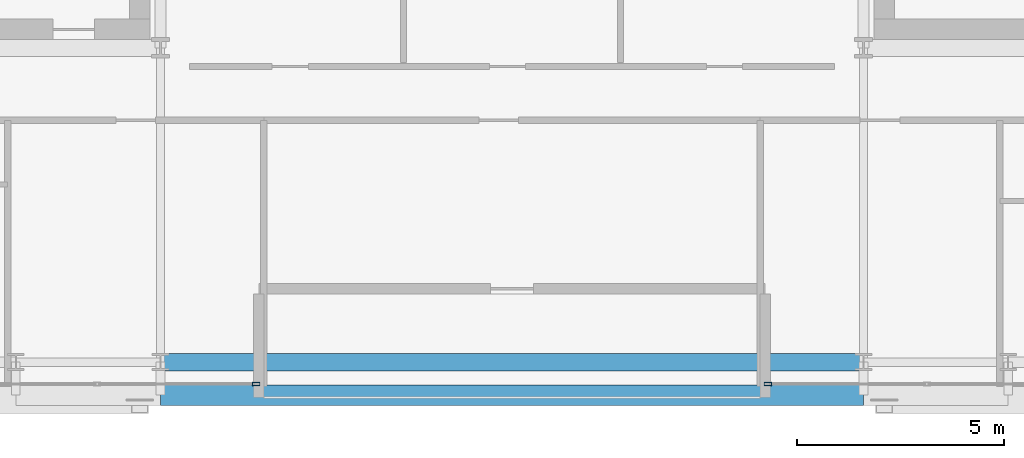
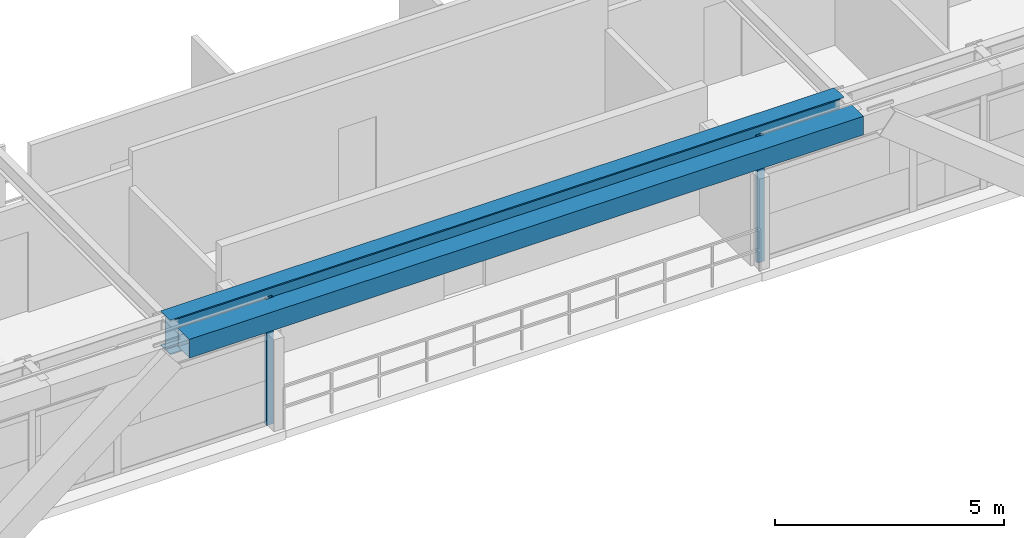
# One storey, part 6 of 32: 2 beams, 2 members, 2 elements without a shape of their own.
"""IFC4 building model written with IfcOpenShell, lengths in metres."""

from ifc_helpers import new_model, si_unit, direction, frame, origin, origin_2d, place, context, subcontext, project, spatial, hollow_rectangle, i_section, extrude, source, transform, mapped, material, layer, layer_set, material_profile, profile_set, type_object, element, aggregate, save


model = new_model("IFC4")

# Units and contexts
model_context = context("Model", 3, precision=1e-05, world=origin(), true_north=direction((0.0, 1.0)))
body_context = subcontext(model_context, "Body", "Model", "MODEL_VIEW")
ifc_project = project(units=[si_unit("LENGTHUNIT", "METRE"), si_unit("AREAUNIT", "SQUARE_METRE"), si_unit("VOLUMEUNIT", "CUBIC_METRE"), si_unit("PLANEANGLEUNIT", "RADIAN"), si_unit("MASSUNIT", "GRAM", prefix="KILO")], contexts=[model_context])

# Site, building, storey
site_placement = place(None, origin())
site = spatial("IfcSite", under=ifc_project, at=site_placement, CompositionType="ELEMENT")
building_placement = place(site_placement, origin())
building = spatial("IfcBuilding", under=site, at=building_placement, Name="Ocotamira Hotel", CompositionType="ELEMENT")
storey_placement = place(building_placement, frame((0.0, 0.0, 184.800048828125)))
storey = spatial("IfcBuildingStorey", under=building, at=storey_placement, Name="L46", CompositionType="ELEMENT", Elevation=184.800048828125)

# Beams
ifc_material_1 = material(Name="Steel ASTM A992 Grade 50", Category="steel")
ifc_material_profile_1 = material_profile(ifc_material_1, i_section(OverallWidth=0.41796875, OverallDepth=0.927001953125, WebThickness=0.019287109375, FlangeThickness=0.031982421875, FilletRadius=0.02392578125, at=origin_2d()), Name="W36X231")
ifc_profile_set_1 = profile_set([ifc_material_profile_1], Name="Steel ASTM A992 Grade 50")
beam_type_1 = type_object("IfcBeamType", Name="BM-GIRD-W36X231", PredefinedType="BEAM", material=ifc_profile_set_1)
shared_shape_1 = source(origin(), body_context, "Body", "SweptSolid", [
    extrude(i_section(OverallWidth=0.41796875, OverallDepth=0.927001953125, WebThickness=0.019287109375, FlangeThickness=0.031982421875, FilletRadius=0.02392578125, at=origin_2d()), origin(), (0.0, 0.0, 1.0), 17.0),
])
beam_1_placement = place(storey_placement, frame((23.5, 6.949951171875, 2.906494140625), z_axis=(1.0, 0.0, 0.0), x_axis=(0.0, 1.0, 0.0)))
element("IfcBeam", 1, at=beam_1_placement, inside=storey, type_object=beam_type_1, Name="L46 Girder Y6.95 X23.5-40.5", PredefinedType="BEAM", context=body_context, shape_type="MappedRepresentation", body=[
    mapped(shared_shape_1, transform((0.0, 0.0, 0.0), scale=1.0)),
])
ifc_material_2 = material(Name="Steel ASTM A500 Grade C", Category="steel")
ifc_material_profile_2 = material_profile(ifc_material_2, hollow_rectangle(XDim=0.5, YDim=0.5, WallThickness=0.02001953125, at=origin_2d()), Name="HSS500X500X20")
ifc_profile_set_2 = profile_set([ifc_material_profile_2], Name="Steel ASTM A500 Grade C")
beam_type_2 = type_object("IfcBeamType", Name="BM-SPAN-HSS500", PredefinedType="USERDEFINED", material=ifc_profile_set_2)
shared_shape_2 = source(origin(), body_context, "Body", "SweptSolid", [
    extrude(hollow_rectangle(XDim=0.5, YDim=0.5, WallThickness=0.02001953125, at=origin_2d()), origin(), (0.0, 0.0, 1.0), 17.0),
])
beam_2_placement = place(storey_placement, frame((23.5, 6.14990234375, 3.119873046875), z_axis=(1.0, 0.0, 0.0), x_axis=(0.0, 1.0, 0.0)))
element("IfcBeam", 2, at=beam_2_placement, inside=storey, type_object=beam_type_2, Name="L46 Edge Spandrel S X23.5-40.5", ObjectType="SPANDREL", PredefinedType="USERDEFINED", context=body_context, shape_type="MappedRepresentation", body=[
    mapped(shared_shape_2, transform((0.0, 0.0, 0.0), scale=1.0)),
])

# Curtain wall, member
ifc_material_3 = material(Name="Anodised pale-metal aluminium and solar glass", Category="aluminium")
ifc_layer = layer(ifc_material_3, 0.199951171875)
ifc_layer_set = layer_set([ifc_layer], Name="Anodised pale-metal aluminium and solar glass")
curtain_wall_type = type_object("IfcCurtainWallType", Name="CW-SYS4-Z3", PredefinedType="NOTDEFINED", material=ifc_layer_set)
curtain_wall_1_placement = place(storey_placement, origin())
curtain_wall_1 = element("IfcCurtainWall", 3, at=curtain_wall_1_placement, inside=storey, type_object=curtain_wall_type, Name="L46 Curtain Wall CW-4 CW-L46-S1", PredefinedType="NOTDEFINED")
ifc_material_4 = material(Name="Anodised pale-metal aluminium 6063-T6", Category="aluminium")
ifc_material_profile_3 = material_profile(ifc_material_4, hollow_rectangle(XDim=0.080078125, YDim=0.179931640625, WallThickness=0.006103515625, at=origin_2d()), Name="HSS180X80X6")
ifc_profile_set_3 = profile_set([ifc_material_profile_3], Name="Anodised pale-metal aluminium 6063-T6")
member_type = type_object("IfcMemberType", Name="CWM-180X75", PredefinedType="MULLION", material=ifc_profile_set_3)
shared_shape_3 = source(origin(), body_context, "Body", "SweptSolid", [
    extrude(hollow_rectangle(XDim=0.080078125, YDim=0.179931640625, WallThickness=0.006103515625, at=origin_2d()), origin(), (0.0, 0.0, 1.0), 3.369873046875),
])
member_1_placement = place(storey_placement, frame((25.81005859375, 6.419921875, 0.0), z_axis=(0.0, 0.0, 1.0), x_axis=(0.0, 1.0, 0.0)))
member_1 = element("IfcMember", 4, at=member_1_placement, type_object=member_type, Name="CW-4 mullion 4", PredefinedType="MULLION", context=body_context, shape_type="MappedRepresentation", body=[
    mapped(shared_shape_3, transform((0.0, 0.0, 0.0), scale=1.0)),
])
aggregate(curtain_wall_1, [member_1])

curtain_wall_2_placement = place(storey_placement, origin())
curtain_wall_2 = element("IfcCurtainWall", 5, at=curtain_wall_2_placement, inside=storey, type_object=curtain_wall_type, Name="L46 Curtain Wall CW-4 CW-L46-S2", PredefinedType="NOTDEFINED")
member_2_placement = place(storey_placement, frame((38.18994140625, 6.419921875, 0.0), z_axis=(0.0, 0.0, 1.0), x_axis=(0.0, 1.0, 0.0)))
member_2 = element("IfcMember", 6, at=member_2_placement, type_object=member_type, Name="CW-4 mullion 1", PredefinedType="MULLION", context=body_context, shape_type="MappedRepresentation", body=[
    mapped(shared_shape_3, transform((0.0, 0.0, 0.0), scale=1.0)),
])
aggregate(curtain_wall_2, [member_2])

save(model, "model.ifc")
